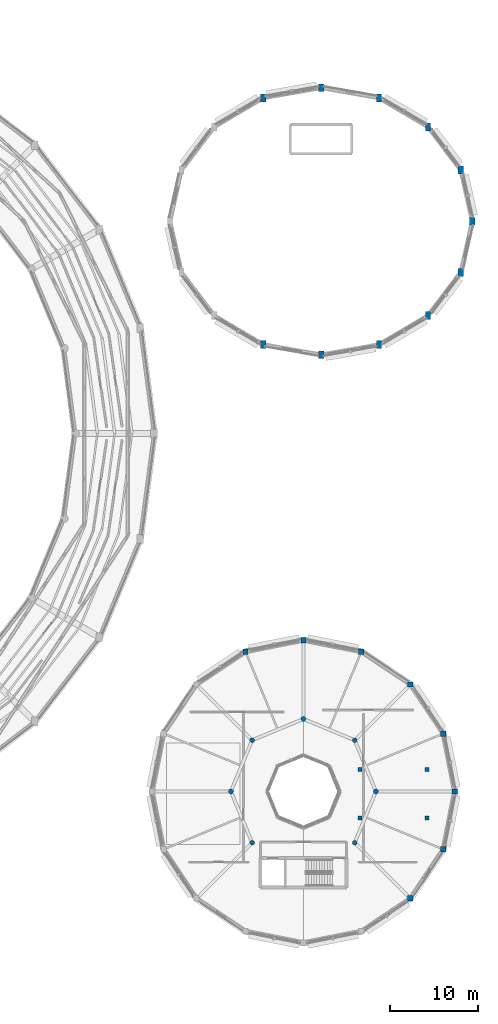
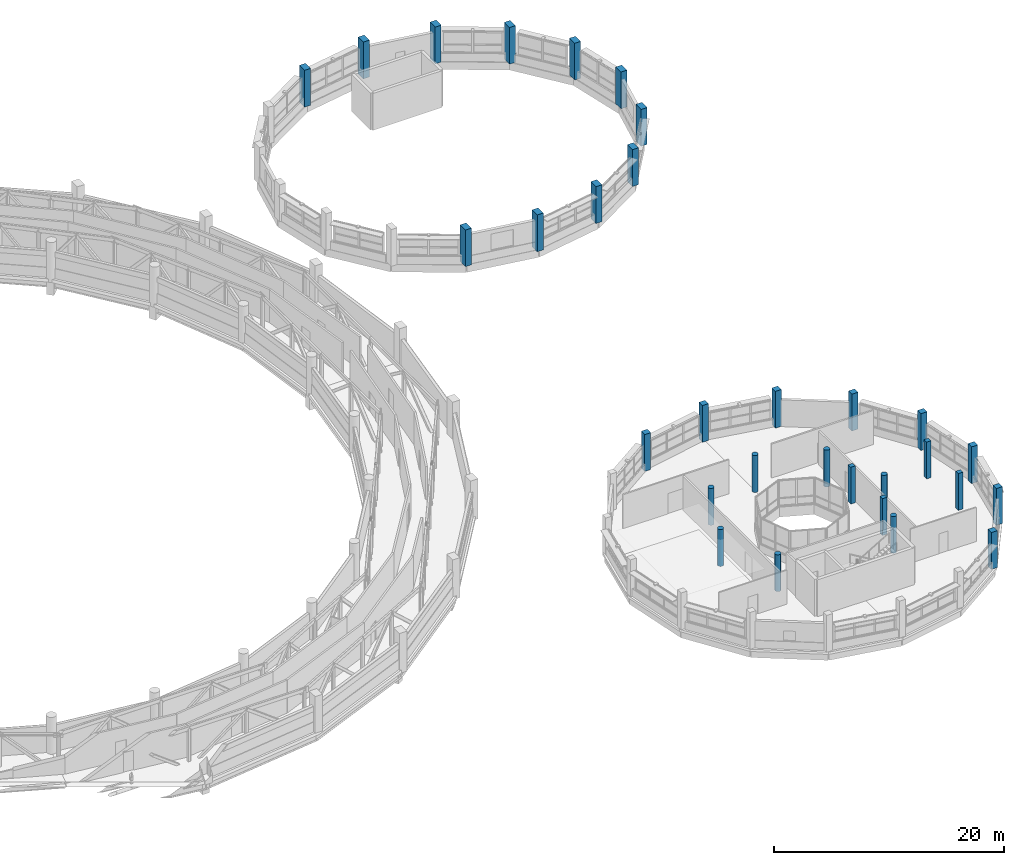
# One storey, part 2 of 121: 30 columns.
"""IFC4 building model written with IfcOpenShell, lengths in metres."""

from ifc_helpers import new_model, si_unit, direction, frame, origin, origin_2d, place, context, subcontext, project, spatial, rectangle, circle, extrude, material, material_profile, profile_set, type_object, element, save


model = new_model("IFC4")

# Units and contexts
model_context = context("Model", 3, precision=1e-05, world=origin(), true_north=direction((0.0, 1.0)))
body_context = subcontext(model_context, "Body", "Model", "MODEL_VIEW")
ifc_project = project(units=[si_unit("LENGTHUNIT", "METRE"), si_unit("AREAUNIT", "SQUARE_METRE"), si_unit("VOLUMEUNIT", "CUBIC_METRE"), si_unit("PLANEANGLEUNIT", "RADIAN"), si_unit("MASSUNIT", "GRAM", prefix="KILO")], contexts=[model_context])

# Site, building, storey
site_placement = place(None, origin())
site = spatial("IfcSite", under=ifc_project, at=site_placement, CompositionType="ELEMENT")
building_placement = place(site_placement, origin())
building = spatial("IfcBuilding", under=site, at=building_placement, Name="Vespera Passage Community Centre", CompositionType="ELEMENT")
storey_placement = place(building_placement, frame((0.0, 0.0, 8.699951171875)))
storey = spatial("IfcBuildingStorey", under=building, at=storey_placement, Name="L02", CompositionType="ELEMENT", Elevation=8.699951171875)

# Columns
ifc_material_1 = material(Name="Concrete f'c 45 MPa", Category="concrete")
ifc_material_profile_1 = material_profile(ifc_material_1, rectangle(XDim=0.449951171875, YDim=0.449951171875, at=origin_2d()), Name="RC450X450")
ifc_profile_set_1 = profile_set([ifc_material_profile_1], Name="Concrete f'c 45 MPa")
column_type_1 = type_object("IfcColumnType", Name="COL-RC450I", PredefinedType="COLUMN", material=ifc_profile_set_1)
for number, where, z_axis, x_axis, name in (
    (1, (147.39990234375, 22.0, 0.0), (0.0, 0.0, 1.0), (1.0, 0.0, 0.0), "L02 Column V3-CONS-1"),
    (2, (155.0, 22.0, 0.0), (0.0, 0.0, 1.0), (1.0, 0.0, 0.0), "L02 Column V3-CONS-2"),
    (3, (155.0, 27.5, 0.0), (0.0, 0.0, 1.0), (1.0, 0.0, 0.0), "L02 Column V3-CONS-3"),
    (4, (147.39990234375, 27.5, 0.0), (0.0, 0.0, 1.0), (1.0, 0.0, 0.0), "L02 Column V3-CONS-4"),
):
    element("IfcColumn", number, at=place(storey_placement, frame(where, z_axis=z_axis, x_axis=x_axis)), inside=storey, type_object=column_type_1, Name=name, PredefinedType="COLUMN", context=body_context, shape_type="SweptSolid", body=[
        extrude(rectangle(XDim=0.449951171875, YDim=0.449951171875, at=origin_2d()), origin(), (0.0, 0.0, 1.0), 3.900146484375),
    ])
ifc_material_2 = material(Name="Concrete f'c 45 MPa", Category="concrete")
ifc_material_profile_2 = material_profile(ifc_material_2, circle(Radius=0.27490234375, at=origin_2d()), Name="RC550DIA")
ifc_profile_set_2 = profile_set([ifc_material_profile_2], Name="Concrete f'c 45 MPa")
column_type_2 = type_object("IfcColumnType", Name="COL-RC550DIA", PredefinedType="COLUMN", material=ifc_profile_set_2)
for number, where, z_axis, x_axis, name in (
    (5, (149.199951171875, 25.0, 0.0), (0.0, 0.0, 1.0), (1.0, 0.0, 0.0), "L02 Column V3-I01"),
    (6, (146.79833984375, 30.79833984375, 0.0), (0.0, 0.0, 1.0), (1.0, 0.0, 0.0), "L02 Column V3-I02"),
    (7, (141.0, 33.199951171875, 0.0), (0.0, 0.0, 1.0), (1.0, 0.0, 0.0), "L02 Column V3-I03"),
    (8, (135.20166015625, 30.79833984375, 0.0), (0.0, 0.0, 1.0), (1.0, 0.0, 0.0), "L02 Column V3-I04"),
    (9, (132.800048828125, 25.0, 0.0), (0.0, 0.0, 1.0), (1.0, 0.0, 0.0), "L02 Column V3-I05"),
    (10, (135.20166015625, 19.20166015625, 0.0), (0.0, 0.0, 1.0), (1.0, 0.0, 0.0), "L02 Column V3-I06"),
    (11, (146.79833984375, 19.20166015625, 0.0), (0.0, 0.0, 1.0), (1.0, 0.0, 0.0), "L02 Column V3-I08"),
):
    element("IfcColumn", number, at=place(storey_placement, frame(where, z_axis=z_axis, x_axis=x_axis)), inside=storey, type_object=column_type_2, Name=name, PredefinedType="COLUMN", context=body_context, shape_type="SweptSolid", body=[
        extrude(circle(Radius=0.27490234375, at=origin_2d()), origin(), (0.0, 0.0, 1.0), 3.900146484375),
    ])
ifc_material_3 = material(Name="Concrete f'c 45 MPa", Category="concrete")
ifc_material_profile_3 = material_profile(ifc_material_3, rectangle(XDim=0.60009765625, YDim=0.60009765625, at=origin_2d()), Name="RC600X600")
ifc_profile_set_3 = profile_set([ifc_material_profile_3], Name="Concrete f'c 45 MPa")
column_type_3 = type_object("IfcColumnType", Name="COL-RC600E", PredefinedType="COLUMN", material=ifc_profile_set_3)
for number, where, z_axis, x_axis, name in (
    (12, (158.10009765625, 25.0, 0.0), (0.0, 0.0, 1.0), (1.0, 0.0, 0.0), "L02 Column V3-P01"),
    (13, (156.79833984375, 31.5439453125, 0.0), (0.0, 0.0, 1.0), (1.0, 0.0, 0.0), "L02 Column V3-P02"),
    (14, (153.091552734375, 37.091552734375, 0.0), (0.0, 0.0, 1.0), (1.0, 0.0, 0.0), "L02 Column V3-P03"),
    (15, (147.5439453125, 40.79833984375, 0.0), (0.0, 0.0, 1.0), (1.0, 0.0, 0.0), "L02 Column V3-P04"),
    (16, (141.0, 42.10009765625, 0.0), (0.0, 0.0, 1.0), (1.0, 0.0, 0.0), "L02 Column V3-P05"),
    (17, (134.4560546875, 40.79833984375, 0.0), (0.0, 0.0, 1.0), (1.0, 0.0, 0.0), "L02 Column V3-P06"),
    (18, (153.091552734375, 12.908447265625, 0.0), (0.0, 0.0, 1.0), (1.0, 0.0, 0.0), "L02 Column V3-P15"),
    (19, (156.79833984375, 18.4560546875, 0.0), (0.0, 0.0, 1.0), (1.0, 0.0, 0.0), "L02 Column V3-P16"),
):
    element("IfcColumn", number, at=place(storey_placement, frame(where, z_axis=z_axis, x_axis=x_axis)), inside=storey, type_object=column_type_3, Name=name, PredefinedType="COLUMN", context=body_context, shape_type="SweptSolid", body=[
        extrude(rectangle(XDim=0.60009765625, YDim=0.60009765625, at=origin_2d()), origin(), (0.0, 0.0, 1.0), 3.900146484375),
    ])
ifc_material_4 = material(Name="Concrete f'c 45 MPa", Category="concrete")
ifc_material_profile_4 = material_profile(ifc_material_4, rectangle(XDim=0.60009765625, YDim=0.89990234375, at=origin_2d()), Name="RC900X600")
ifc_profile_set_4 = profile_set([ifc_material_profile_4], Name="Concrete f'c 45 MPa")
column_type_4 = type_object("IfcColumnType", Name="COL-RC900X600E", PredefinedType="COLUMN", material=ifc_profile_set_4)
for number, where, z_axis, x_axis, name in (
    (20, (160.10009765625, 89.5, 0.0), (0.0, 0.0, 1.0), (1.0, 0.0, 0.0), "L02 Column V2-P01"),
    (21, (158.79833984375, 95.278564453125, 0.0), (0.0, 0.0, 1.0), (1.0, 0.0, 0.0), "L02 Column V2-P02"),
    (22, (155.091552734375, 100.17724609375, 0.0), (0.0, 0.0, 1.0), (1.0, 0.0, 0.0), "L02 Column V2-P03"),
    (23, (149.5439453125, 103.45068359375, 0.0), (0.0, 0.0, 1.0), (1.0, 0.0, 0.0), "L02 Column V2-P04"),
    (24, (143.0, 104.60009765625, 0.0), (0.0, 0.0, 1.0), (1.0, 0.0, 0.0), "L02 Column V2-P05"),
    (25, (136.4560546875, 103.45068359375, 0.0), (0.0, 0.0, 1.0), (1.0, 0.0, 0.0), "L02 Column V2-P06"),
    (26, (136.4560546875, 75.54931640625, 0.0), (0.0, 0.0, 1.0), (1.0, 0.0, 0.0), "L02 Column V2-P12"),
    (27, (143.0, 74.39990234375, 0.0), (0.0, 0.0, 1.0), (1.0, 0.0, 0.0), "L02 Column V2-P13"),
    (28, (149.5439453125, 75.54931640625, 0.0), (0.0, 0.0, 1.0), (1.0, 0.0, 0.0), "L02 Column V2-P14"),
    (29, (155.091552734375, 78.82275390625, 0.0), (0.0, 0.0, 1.0), (1.0, 0.0, 0.0), "L02 Column V2-P15"),
    (30, (158.79833984375, 83.721435546875, 0.0), (0.0, 0.0, 1.0), (1.0, 0.0, 0.0), "L02 Column V2-P16"),
):
    element("IfcColumn", number, at=place(storey_placement, frame(where, z_axis=z_axis, x_axis=x_axis)), inside=storey, type_object=column_type_4, Name=name, PredefinedType="COLUMN", context=body_context, shape_type="SweptSolid", body=[
        extrude(rectangle(XDim=0.60009765625, YDim=0.89990234375, at=origin_2d()), origin(), (0.0, 0.0, 1.0), 3.900146484375),
    ])

save(model, "model.ifc")
